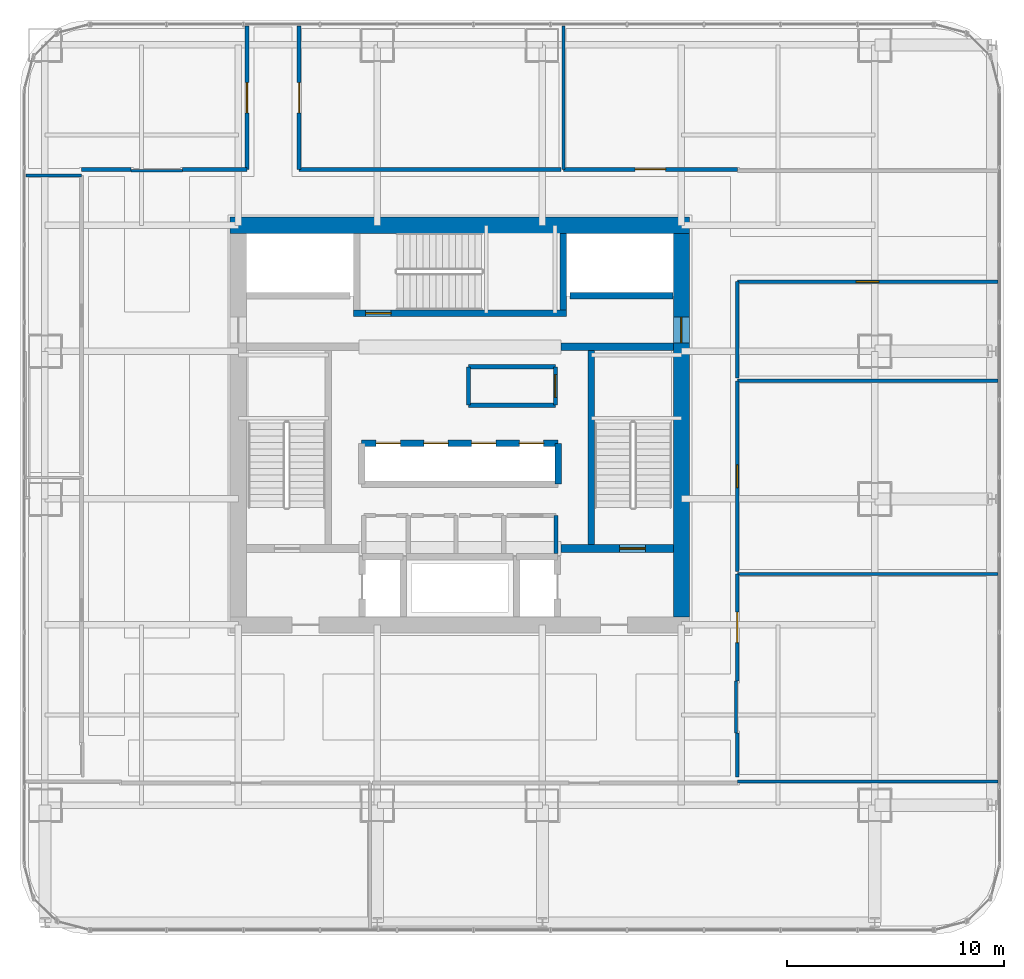
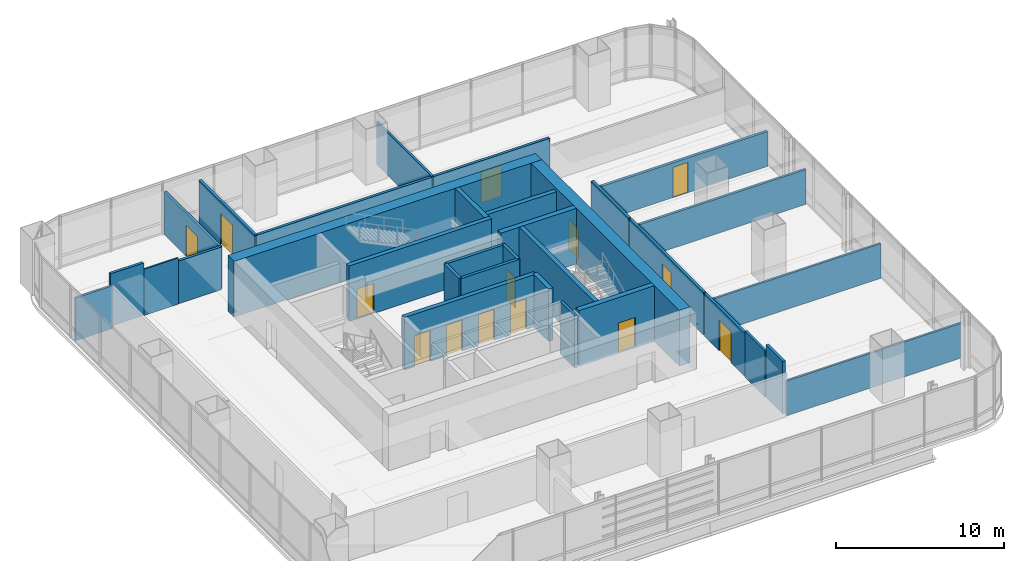
# One storey, part 28 of 35: 33 walls, 14 doors, 14 openings.
"""IFC4 building model written with IfcOpenShell, lengths in metres."""

from ifc_helpers import new_model, si_unit, direction, frame, frame_2d, origin, place, context, subcontext, project, spatial, rectangle, extrude, material, layer, layer_set, type_object, element, fill, save


model = new_model("IFC4")

# Units and contexts
model_context = context("Model", 3, precision=1e-05, world=origin(), true_north=direction((0.0, 1.0)))
body_context = subcontext(model_context, "Body", "Model", "MODEL_VIEW")
ifc_project = project(units=[si_unit("LENGTHUNIT", "METRE"), si_unit("AREAUNIT", "SQUARE_METRE"), si_unit("VOLUMEUNIT", "CUBIC_METRE"), si_unit("PLANEANGLEUNIT", "RADIAN"), si_unit("MASSUNIT", "GRAM", prefix="KILO")], contexts=[model_context])

# Site, building, storey
site_placement = place(None, origin())
site = spatial("IfcSite", under=ifc_project, at=site_placement, CompositionType="ELEMENT")
building_placement = place(site_placement, origin())
building = spatial("IfcBuilding", under=site, at=building_placement, Name="Punatoya Terracotta Tower", CompositionType="ELEMENT")
storey_placement = place(building_placement, frame((0.0, 0.0, 68.699951171875)))
storey = spatial("IfcBuildingStorey", under=building, at=storey_placement, Name="L15", CompositionType="ELEMENT", Elevation=68.699951171875)

# Wall
ifc_material_1 = material(Name="Concrete C60/75", Category="concrete")
ifc_layer_1 = layer(ifc_material_1, 0.75)
ifc_layer_set_1 = layer_set([ifc_layer_1], Name="Concrete C60/75")
wall_type_1 = type_object("IfcWallType", Name="WL-COR-750", PredefinedType="SHEAR", material=ifc_layer_set_1)
wall_1_placement = place(storey_placement, frame((-10.574951171875, 9.199951171875, 0.0), z_axis=(0.0, 0.0, 1.0), x_axis=(1.0, 0.0, 0.0)))
element("IfcWall", 1, at=wall_1_placement, inside=storey, type_object=wall_type_1, Name="L15 Core Shear Wall N", PredefinedType="SHEAR", context=body_context, shape_type="SweptSolid", body=[
    extrude(rectangle(XDim=21.14990234375, YDim=0.75, at=frame_2d((10.574951171875, 0.0))), origin(), (0.0, 0.0, 1.0), 4.050048828125),
])

# Wall, opening, door
wall_2_placement = place(storey_placement, frame((10.199951171875, 8.824951171875, 0.0), z_axis=(0.0, 0.0, 1.0), x_axis=(0.0, -1.0, 0.0)))
wall_2 = element("IfcWall", 2, at=wall_2_placement, inside=storey, type_object=wall_type_1, Name="L15 Core Shear Wall E", PredefinedType="SHEAR", context=body_context, shape_type="SweptSolid", body=[
    extrude(rectangle(XDim=17.64990234375, YDim=0.75, at=frame_2d((8.824951171875, 0.0))), origin(), (0.0, 0.0, 1.0), 4.050048828125),
])
opening_1_placement = place(wall_2_placement, frame((3.85498046875, 0.0, 0.0)))
opening_1 = element("IfcOpeningElement", 3, at=opening_1_placement, cuts=wall_2, Name="Opening SD-01", PredefinedType="OPENING", context=body_context, shape_type="SweptSolid", body=[
    extrude(rectangle(XDim=1.179931640625, YDim=2.199951171875, at=frame_2d((0.58984375, 1.10009765625))), frame((0.0, 0.385009765625, 0.0), z_axis=(0.0, -1.0, 0.0), x_axis=(1.0, 0.0, 0.0)), (0.0, 0.0, 1.0), 0.77001953125),
])
ifc_material_2 = material(Name="Galvanised Steel Pressurized Stair Fire Door", Category="steel")
door_type_1 = type_object("IfcDoorType", Name="DR-STR-1180", OperationType="NOTDEFINED", PredefinedType="DOOR", material=ifc_material_2)
door_1_placement = place(opening_1_placement, origin())
door_1 = element("IfcDoor", 4, at=door_1_placement, inside=storey, type_object=door_type_1, Name="L15 Central Lift Lobby East Fire Door", OperationType="SINGLE_SWING_RIGHT", OverallHeight=2.199951171875, OverallWidth=1.179931640625, PredefinedType="DOOR", context=body_context, shape_type="SweptSolid", body=[
    extrude(rectangle(XDim=1.179931640625, YDim=2.199951171875, at=frame_2d((0.58984375, 1.10009765625))), frame((0.0, 0.02490234375, 0.0), z_axis=(0.0, -1.0, 0.0), x_axis=(1.0, 0.0, 0.0)), (0.0, 0.0, 1.0), 0.050048828125),
])
fill(opening_1, door_1)

# Wall
ifc_material_3 = material(Name="Gypsum Fireboard + Steel Stud", Category="steel")
ifc_layer_2 = layer(ifc_material_3, 0.179931640625)
ifc_layer_set_2 = layer_set([ifc_layer_2], Name="Gypsum Fireboard + Steel Stud")
wall_type_2 = type_object("IfcWallType", Name="WL-CORR-180", PredefinedType="PARTITIONING", material=ifc_layer_set_2)
wall_3_placement = place(storey_placement, frame((4.419921875, -5.89990234375, 0.0), z_axis=(0.0, 0.0, 1.0), x_axis=(0.0, 1.0, 0.0)))
element("IfcWall", 5, at=wall_3_placement, inside=storey, type_object=wall_type_2, Name="L15 Core Reprographics Studio Partition 08", PredefinedType="PARTITIONING", context=body_context, shape_type="SweptSolid", body=[
    extrude(rectangle(XDim=1.739990234375, YDim=0.179931640625, at=frame_2d((0.8701171875, 0.0))), origin(), (0.0, 0.0, 1.0), 3.81005859375),
])

# Wall, opening, door
wall_4_placement = place(storey_placement, frame((12.77001953125, -11.77001953125, 0.0), z_axis=(0.0, 0.0, 1.0), x_axis=(0.0, 1.0, 0.0)))
wall_4 = element("IfcWall", 6, at=wall_4_placement, inside=storey, type_object=wall_type_2, Name="L15 Collaborative Workshop Room Partition 20", PredefinedType="PARTITIONING", context=body_context, shape_type="SweptSolid", body=[
    extrude(rectangle(XDim=4.912109375, YDim=0.179931640625, at=frame_2d((2.4560546875, 0.0))), origin(), (0.0, 0.0, 1.0), 3.10400390625),
])
opening_2_placement = place(wall_4_placement, frame((1.756103515625, 0.0, 0.0)))
opening_2 = element("IfcOpeningElement", 7, at=opening_2_placement, cuts=wall_4, Name="Opening BD-01", PredefinedType="OPENING", context=body_context, shape_type="SweptSolid", body=[
    extrude(rectangle(XDim=1.39990234375, YDim=2.25, at=frame_2d((0.699951171875, 1.125))), frame((0.0, 0.099853515625, 0.0), z_axis=(0.0, -1.0, 0.0), x_axis=(1.0, 0.0, 0.0)), (0.0, 0.0, 1.0), 0.199951171875),
])
ifc_material_4 = material(Name="Bengal Teak Acoustic Leaf")
door_type_2 = type_object("IfcDoorType", Name="DR-BRD-1400", OperationType="NOTDEFINED", PredefinedType="DOOR", material=ifc_material_4)
door_2_placement = place(opening_2_placement, origin())
door_2 = element("IfcDoor", 8, at=door_2_placement, inside=storey, type_object=door_type_2, Name="L15 Collaborative Workshop Room Door", OperationType="SINGLE_SWING_RIGHT", OverallHeight=2.25, OverallWidth=1.39990234375, PredefinedType="DOOR", context=body_context, shape_type="SweptSolid", body=[
    extrude(rectangle(XDim=1.39990234375, YDim=2.25, at=frame_2d((0.699951171875, 1.125))), frame((0.0, 0.02490234375, 0.0), z_axis=(0.0, -1.0, 0.0), x_axis=(1.0, 0.0, 0.0)), (0.0, 0.0, 1.0), 0.050048828125),
])
fill(opening_2, door_2)

# Wall
wall_5_placement = place(storey_placement, frame((12.77001953125, -16.18994140625, 0.0), z_axis=(0.0, 0.0, 1.0), x_axis=(0.0, 1.0, 0.0)))
element("IfcWall", 9, at=wall_5_placement, inside=storey, type_object=wall_type_2, Name="L15 Collaborative Workshop Room Partition 22", PredefinedType="PARTITIONING", context=body_context, shape_type="SweptSolid", body=[
    extrude(rectangle(XDim=2.010009765625, YDim=0.179931640625, at=frame_2d((1.0048828125, 0.0))), origin(), (0.0, 0.0, 1.0), 3.81005859375),
])

# Wall, opening, door
wall_6_placement = place(storey_placement, frame((12.77001953125, -6.738037109375, 0.0), z_axis=(0.0, 0.0, 1.0), x_axis=(0.0, 1.0, 0.0)))
wall_6 = element("IfcWall", 10, at=wall_6_placement, inside=storey, type_object=wall_type_2, Name="L15 Open-Plan Breakout Tea Pantry Partition 27", PredefinedType="PARTITIONING", context=body_context, shape_type="SweptSolid", body=[
    extrude(rectangle(XDim=8.776123046875, YDim=0.179931640625, at=frame_2d((4.38818359375, 0.0))), origin(), (0.0, 0.0, 1.0), 3.10400390625),
])
opening_3_placement = place(wall_6_placement, frame((3.863037109375, 0.0, 0.0)))
opening_3 = element("IfcOpeningElement", 11, at=opening_3_placement, cuts=wall_6, Name="Opening OD-01", PredefinedType="OPENING", context=body_context, shape_type="SweptSolid", body=[
    extrude(rectangle(XDim=1.050048828125, YDim=2.199951171875, at=frame_2d((0.52490234375, 1.10009765625))), frame((0.0, 0.099853515625, 0.0), z_axis=(0.0, -1.0, 0.0), x_axis=(1.0, 0.0, 0.0)), (0.0, 0.0, 1.0), 0.199951171875),
])
ifc_material_5 = material(Name="Bengal Teak Solid-Core Leaf")
door_type_3 = type_object("IfcDoorType", Name="DR-OFF-1050", OperationType="NOTDEFINED", PredefinedType="DOOR", material=ifc_material_5)
door_3_placement = place(opening_3_placement, origin())
door_3 = element("IfcDoor", 12, at=door_3_placement, inside=storey, type_object=door_type_3, Name="L15 Open-Plan Breakout Tea Pantry Door", OperationType="SINGLE_SWING_RIGHT", OverallHeight=2.199951171875, OverallWidth=1.050048828125, PredefinedType="DOOR", context=body_context, shape_type="SweptSolid", body=[
    extrude(rectangle(XDim=1.050048828125, YDim=2.199951171875, at=frame_2d((0.52490234375, 1.10009765625))), frame((0.0, 0.02490234375, 0.0), z_axis=(0.0, -1.0, 0.0), x_axis=(1.0, 0.0, 0.0)), (0.0, 0.0, 1.0), 0.050048828125),
])
fill(opening_3, door_3)

wall_7_placement = place(storey_placement, frame((12.77001953125, 6.60009765625, 0.0), z_axis=(0.0, 0.0, 1.0), x_axis=(1.0, 0.0, 0.0)))
wall_7 = element("IfcWall", 13, at=wall_7_placement, inside=storey, type_object=wall_type_2, Name="L15 Open-Plan Delegate Reception Lounge Partition 28", PredefinedType="PARTITIONING", context=body_context, shape_type="SweptSolid", body=[
    extrude(rectangle(XDim=12.0, YDim=0.179931640625, at=frame_2d((6.0, 0.0))), origin(), (0.0, 0.0, 1.0), 2.524169921875),
])
opening_4_placement = place(wall_7_placement, frame((5.47509765625, 0.0, 0.0)))
opening_4 = element("IfcOpeningElement", 14, at=opening_4_placement, cuts=wall_7, Name="Opening OD-01", PredefinedType="OPENING", context=body_context, shape_type="SweptSolid", body=[
    extrude(rectangle(XDim=1.050048828125, YDim=2.199951171875, at=frame_2d((0.52490234375, 1.10009765625))), frame((0.0, 0.099853515625, 0.0), z_axis=(0.0, -1.0, 0.0), x_axis=(1.0, 0.0, 0.0)), (0.0, 0.0, 1.0), 0.199951171875),
])
door_4_placement = place(opening_4_placement, origin())
door_4 = element("IfcDoor", 15, at=door_4_placement, inside=storey, type_object=door_type_3, Name="L15 Open-Plan Delegate Reception Lounge Door", OperationType="SINGLE_SWING_LEFT", OverallHeight=2.199951171875, OverallWidth=1.050048828125, PredefinedType="DOOR", context=body_context, shape_type="SweptSolid", body=[
    extrude(rectangle(XDim=1.050048828125, YDim=2.199951171875, at=frame_2d((0.52490234375, 1.10009765625))), frame((0.0, 0.02490234375, 0.0), z_axis=(0.0, -1.0, 0.0), x_axis=(1.0, 0.0, 0.0)), (0.0, 0.0, 1.0), 0.050048828125),
])
fill(opening_4, door_4)

# Wall
wall_8_placement = place(storey_placement, frame((12.77001953125, 2.157958984375, 0.0), z_axis=(0.0, 0.0, 1.0), x_axis=(0.0, 1.0, 0.0)))
element("IfcWall", 16, at=wall_8_placement, inside=storey, type_object=wall_type_2, Name="L15 Open-Plan Delegate Reception Lounge Partition 29", PredefinedType="PARTITIONING", context=body_context, shape_type="SweptSolid", body=[
    extrude(rectangle(XDim=4.442138671875, YDim=0.179931640625, at=frame_2d((2.22119140625, 0.0))), origin(), (0.0, 0.0, 1.0), 3.10400390625),
])

# Wall, opening, door
wall_9_placement = place(storey_placement, frame((-9.800048828125, 18.3701171875, 0.0), z_axis=(0.0, 0.0, 1.0), x_axis=(0.0, -1.0, 0.0)))
wall_9 = element("IfcWall", 17, at=wall_9_placement, inside=storey, type_object=wall_type_2, Name="L15 Open-Plan Case-Study Classroom Partition 32", PredefinedType="PARTITIONING", context=body_context, shape_type="SweptSolid", body=[
    extrude(rectangle(XDim=6.60009765625, YDim=0.179931640625, at=frame_2d((3.300048828125, 0.0))), origin(), (0.0, 0.0, 1.0), 3.10400390625),
])
opening_5_placement = place(wall_9_placement, frame((2.60009765625, 0.0, 0.0)))
opening_5 = element("IfcOpeningElement", 18, at=opening_5_placement, cuts=wall_9, Name="Opening BD-01", PredefinedType="OPENING", context=body_context, shape_type="SweptSolid", body=[
    extrude(rectangle(XDim=1.39990234375, YDim=2.25, at=frame_2d((0.699951171875, 1.125))), frame((0.0, 0.099853515625, 0.0), z_axis=(0.0, -1.0, 0.0), x_axis=(1.0, 0.0, 0.0)), (0.0, 0.0, 1.0), 0.199951171875),
])
door_5_placement = place(opening_5_placement, origin())
door_5 = element("IfcDoor", 19, at=door_5_placement, inside=storey, type_object=door_type_2, Name="L15 Open-Plan Case-Study Classroom Door", OperationType="SINGLE_SWING_LEFT", OverallHeight=2.25, OverallWidth=1.39990234375, PredefinedType="DOOR", context=body_context, shape_type="SweptSolid", body=[
    extrude(rectangle(XDim=1.39990234375, YDim=2.25, at=frame_2d((0.699951171875, 1.125))), frame((0.0, 0.02490234375, 0.0), z_axis=(0.0, -1.0, 0.0), x_axis=(1.0, 0.0, 0.0)), (0.0, 0.0, 1.0), 0.050048828125),
])
fill(opening_5, door_5)

# Walls
wall_10_placement = place(storey_placement, frame((-9.800048828125, 11.77001953125, 0.0), z_axis=(0.0, 0.0, 1.0), x_axis=(-1.0, 0.0, 0.0)))
element("IfcWall", 20, at=wall_10_placement, inside=storey, type_object=wall_type_2, Name="L15 Open-Plan Case-Study Classroom Partition 33", PredefinedType="PARTITIONING", context=body_context, shape_type="SweptSolid", body=[
    extrude(rectangle(XDim=2.969970703125, YDim=0.179931640625, at=frame_2d((1.48486328125, 0.0))), origin(), (0.0, 0.0, 1.0), 3.10400390625),
])
wall_11_placement = place(storey_placement, frame((-15.1298828125, 11.77001953125, 0.0), z_axis=(0.0, 0.0, 1.0), x_axis=(-1.0, 0.0, 0.0)))
element("IfcWall", 21, at=wall_11_placement, inside=storey, type_object=wall_type_2, Name="L15 Open-Plan Case-Study Classroom Partition 35", PredefinedType="PARTITIONING", context=body_context, shape_type="SweptSolid", body=[
    extrude(rectangle(XDim=2.2900390625, YDim=0.179931640625, at=frame_2d((1.14501953125, 0.0))), origin(), (0.0, 0.0, 1.0), 3.81005859375),
])

# Wall, opening, door
wall_12_placement = place(storey_placement, frame((12.77001953125, 11.77001953125, 0.0), z_axis=(0.0, 0.0, 1.0), x_axis=(-1.0, 0.0, 0.0)))
wall_12 = element("IfcWall", 22, at=wall_12_placement, inside=storey, type_object=wall_type_2, Name="L15 Open-Plan Symposium Colloquium Room Partition 38", PredefinedType="PARTITIONING", context=body_context, shape_type="SweptSolid", body=[
    extrude(rectangle(XDim=7.9951171875, YDim=0.179931640625, at=frame_2d((3.99755859375, 0.0))), origin(), (0.0, 0.0, 1.0), 3.10400390625),
])
opening_6_placement = place(wall_12_placement, frame((3.297607421875, 0.0, 0.0)))
opening_6 = element("IfcOpeningElement", 23, at=opening_6_placement, cuts=wall_12, Name="Opening BD-01", PredefinedType="OPENING", context=body_context, shape_type="SweptSolid", body=[
    extrude(rectangle(XDim=1.39990234375, YDim=2.25, at=frame_2d((0.699951171875, 1.125))), frame((0.0, 0.099853515625, 0.0), z_axis=(0.0, -1.0, 0.0), x_axis=(1.0, 0.0, 0.0)), (0.0, 0.0, 1.0), 0.199951171875),
])
door_6_placement = place(opening_6_placement, origin())
door_6 = element("IfcDoor", 24, at=door_6_placement, inside=storey, type_object=door_type_2, Name="L15 Open-Plan Symposium Colloquium Room Door", OperationType="SINGLE_SWING_RIGHT", OverallHeight=2.25, OverallWidth=1.39990234375, PredefinedType="DOOR", context=body_context, shape_type="SweptSolid", body=[
    extrude(rectangle(XDim=1.39990234375, YDim=2.25, at=frame_2d((0.699951171875, 1.125))), frame((0.0, 0.02490234375, 0.0), z_axis=(0.0, -1.0, 0.0), x_axis=(1.0, 0.0, 0.0)), (0.0, 0.0, 1.0), 0.050048828125),
])
fill(opening_6, door_6)

wall_13_placement = place(storey_placement, frame((-7.39990234375, 11.77001953125, 0.0), z_axis=(0.0, 0.0, 1.0), x_axis=(0.0, 1.0, 0.0)))
wall_13 = element("IfcWall", 25, at=wall_13_placement, inside=storey, type_object=wall_type_2, Name="L15 Open-Plan Roundtable Conference Room Partition 39", PredefinedType="PARTITIONING", context=body_context, shape_type="SweptSolid", body=[
    extrude(rectangle(XDim=6.60009765625, YDim=0.179931640625, at=frame_2d((3.300048828125, 0.0))), origin(), (0.0, 0.0, 1.0), 3.10400390625),
])
opening_7_placement = place(wall_13_placement, frame((2.60009765625, 0.0, 0.0)))
opening_7 = element("IfcOpeningElement", 26, at=opening_7_placement, cuts=wall_13, Name="Opening BD-01", PredefinedType="OPENING", context=body_context, shape_type="SweptSolid", body=[
    extrude(rectangle(XDim=1.39990234375, YDim=2.25, at=frame_2d((0.699951171875, 1.125))), frame((0.0, 0.099853515625, 0.0), z_axis=(0.0, -1.0, 0.0), x_axis=(1.0, 0.0, 0.0)), (0.0, 0.0, 1.0), 0.199951171875),
])
door_7_placement = place(opening_7_placement, origin())
door_7 = element("IfcDoor", 27, at=door_7_placement, inside=storey, type_object=door_type_2, Name="L15 Open-Plan Roundtable Conference Room Door", OperationType="SINGLE_SWING_LEFT", OverallHeight=2.25, OverallWidth=1.39990234375, PredefinedType="DOOR", context=body_context, shape_type="SweptSolid", body=[
    extrude(rectangle(XDim=1.39990234375, YDim=2.25, at=frame_2d((0.699951171875, 1.125))), frame((0.0, 0.02490234375, 0.0), z_axis=(0.0, -1.0, 0.0), x_axis=(1.0, 0.0, 0.0)), (0.0, 0.0, 1.0), 0.050048828125),
])
fill(opening_7, door_7)

# Walls
wall_14_placement = place(storey_placement, frame((4.655029296875, 11.77001953125, 0.0), z_axis=(0.0, 0.0, 1.0), x_axis=(-1.0, 0.0, 0.0)))
element("IfcWall", 28, at=wall_14_placement, inside=storey, type_object=wall_type_2, Name="L15 Open-Plan Roundtable Conference Room Partition 40", PredefinedType="PARTITIONING", context=body_context, shape_type="SweptSolid", body=[
    extrude(rectangle(XDim=12.054931640625, YDim=0.179931640625, at=frame_2d((6.02734375, 0.0))), origin(), (0.0, 0.0, 1.0), 3.10400390625),
])
ifc_material_6 = material(Name="Aluminium Framed Acoustic Glass Partition", Category="aluminium")
ifc_layer_3 = layer(ifc_material_6, 0.10009765625)
ifc_layer_set_3 = layer_set([ifc_layer_3], Name="Aluminium Framed Acoustic Glass Partition")
wall_type_3 = type_object("IfcWallType", Name="WL-GLZ-100", PredefinedType="PARTITIONING", material=ifc_layer_set_3)
wall_15_placement = place(storey_placement, frame((-12.77001953125, 11.7099609375, 0.0), z_axis=(0.0, 0.0, 1.0), x_axis=(-1.0, 0.0, 0.0)))
element("IfcWall", 29, at=wall_15_placement, inside=storey, type_object=wall_type_3, Name="L15 Open-Plan Case-Study Classroom Partition 34", PredefinedType="PARTITIONING", context=body_context, shape_type="SweptSolid", body=[
    extrude(rectangle(XDim=2.35986328125, YDim=0.10009765625, at=frame_2d((1.179931640625, 0.0))), origin(), (0.0, 0.0, 1.0), 3.35400390625),
])

# Wall, opening, door
ifc_material_7 = material(Name="Concrete C40/50", Category="concrete")
ifc_layer_4 = layer(ifc_material_7, 0.199951171875)
ifc_layer_set_4 = layer_set([ifc_layer_4], Name="Concrete C40/50")
wall_type_4 = type_object("IfcWallType", Name="WL-INT-200", PredefinedType="SOLIDWALL", material=ifc_layer_set_4)
wall_16_placement = place(storey_placement, frame((4.39990234375, 0.919921875, 0.0), z_axis=(0.0, 0.0, 1.0), x_axis=(0.0, 1.0, 0.0)))
wall_16 = element("IfcWall", 30, at=wall_16_placement, inside=storey, type_object=wall_type_4, Name="L15 East Core Tea Pantry Partition 10", PredefinedType="SOLIDWALL", context=body_context, shape_type="SweptSolid", body=[
    extrude(rectangle(XDim=1.760009765625, YDim=0.199951171875, at=frame_2d((0.8798828125, 0.0))), origin(), (0.0, 0.0, 1.0), 3.81005859375),
])
opening_8_placement = place(wall_16_placement, frame((0.35498046875, 0.0, 0.0)))
opening_8 = element("IfcOpeningElement", 31, at=opening_8_placement, cuts=wall_16, Name="Opening OD-01", PredefinedType="OPENING", context=body_context, shape_type="SweptSolid", body=[
    extrude(rectangle(XDim=1.050048828125, YDim=2.199951171875, at=frame_2d((0.52490234375, 1.10009765625))), frame((0.0, 0.10986328125, 0.0), z_axis=(0.0, -1.0, 0.0), x_axis=(1.0, 0.0, 0.0)), (0.0, 0.0, 1.0), 0.219970703125),
])
door_8_placement = place(opening_8_placement, origin())
door_8 = element("IfcDoor", 32, at=door_8_placement, inside=storey, type_object=door_type_3, Name="L15 East Tea Pantry Door", OperationType="SINGLE_SWING_LEFT", OverallHeight=2.199951171875, OverallWidth=1.050048828125, PredefinedType="DOOR", context=body_context, shape_type="SweptSolid", body=[
    extrude(rectangle(XDim=1.050048828125, YDim=2.199951171875, at=frame_2d((0.52490234375, 1.10009765625))), frame((0.0, 0.02490234375, 0.0), z_axis=(0.0, -1.0, 0.0), x_axis=(1.0, 0.0, 0.0)), (0.0, 0.0, 1.0), 0.050048828125),
])
fill(opening_8, door_8)

# Walls
wall_17_placement = place(storey_placement, frame((4.39990234375, 2.679931640625, 0.0), z_axis=(0.0, 0.0, 1.0), x_axis=(-1.0, 0.0, 0.0)))
element("IfcWall", 33, at=wall_17_placement, inside=storey, type_object=wall_type_4, Name="L15 East Core Tea Pantry Partition 11", PredefinedType="SOLIDWALL", context=body_context, shape_type="SweptSolid", body=[
    extrude(rectangle(XDim=4.0, YDim=0.199951171875, at=frame_2d((2.0, 0.0))), origin(), (0.0, 0.0, 1.0), 3.81005859375),
])
wall_18_placement = place(storey_placement, frame((0.39990234375, 2.679931640625, 0.0), z_axis=(0.0, 0.0, 1.0), x_axis=(0.0, -1.0, 0.0)))
element("IfcWall", 34, at=wall_18_placement, inside=storey, type_object=wall_type_4, Name="L15 East Core Tea Pantry Partition 12", PredefinedType="SOLIDWALL", context=body_context, shape_type="SweptSolid", body=[
    extrude(rectangle(XDim=1.760009765625, YDim=0.199951171875, at=frame_2d((0.8798828125, 0.0))), origin(), (0.0, 0.0, 1.0), 3.81005859375),
])
wall_19_placement = place(storey_placement, frame((0.39990234375, 0.919921875, 0.0), z_axis=(0.0, 0.0, 1.0), x_axis=(1.0, 0.0, 0.0)))
element("IfcWall", 35, at=wall_19_placement, inside=storey, type_object=wall_type_4, Name="L15 East Core Tea Pantry Partition 13", PredefinedType="SOLIDWALL", context=body_context, shape_type="SweptSolid", body=[
    extrude(rectangle(XDim=4.0, YDim=0.199951171875, at=frame_2d((2.0, 0.0))), origin(), (0.0, 0.0, 1.0), 3.81005859375),
])
ifc_material_8 = material(Name="Acoustic Gypsum + Steel Stud", Category="steel")
ifc_layer_5 = layer(ifc_material_8, 0.139892578125)
ifc_layer_set_5 = layer_set([ifc_layer_5], Name="Acoustic Gypsum + Steel Stud")
wall_type_5 = type_object("IfcWallType", Name="WL-OFF-140", PredefinedType="PARTITIONING", material=ifc_layer_set_5)
wall_20_placement = place(storey_placement, frame((12.77001953125, -16.409912109375, 0.0), z_axis=(0.0, 0.0, 1.0), x_axis=(1.0, 0.0, 0.0)))
element("IfcWall", 36, at=wall_20_placement, inside=storey, type_object=wall_type_5, Name="L15 Client Strategy Boardroom Partition 18", PredefinedType="PARTITIONING", context=body_context, shape_type="SweptSolid", body=[
    extrude(rectangle(XDim=12.0, YDim=0.139892578125, at=frame_2d((6.0, 0.0))), origin(), (0.0, 0.0, 1.0), 2.524169921875),
])
wall_21_placement = place(storey_placement, frame((12.7099609375, -14.179931640625, 0.0), z_axis=(0.0, 0.0, 1.0), x_axis=(0.0, 1.0, 0.0)))
element("IfcWall", 37, at=wall_21_placement, inside=storey, type_object=wall_type_5, Name="L15 Collaborative Workshop Room Partition 19", PredefinedType="PARTITIONING", context=body_context, shape_type="SweptSolid", body=[
    extrude(rectangle(XDim=2.409912109375, YDim=0.139892578125, at=frame_2d((1.205078125, 0.0))), origin(), (0.0, 0.0, 1.0), 3.35400390625),
])
wall_22_placement = place(storey_placement, frame((12.77001953125, -6.85791015625, 0.0), z_axis=(0.0, 0.0, 1.0), x_axis=(1.0, 0.0, 0.0)))
element("IfcWall", 38, at=wall_22_placement, inside=storey, type_object=wall_type_5, Name="L15 Collaborative Workshop Room Partition 21", PredefinedType="PARTITIONING", context=body_context, shape_type="SweptSolid", body=[
    extrude(rectangle(XDim=12.0, YDim=0.139892578125, at=frame_2d((6.0, 0.0))), origin(), (0.0, 0.0, 1.0), 2.524169921875),
])
wall_23_placement = place(storey_placement, frame((-19.969970703125, 11.489990234375, 0.0), z_axis=(0.0, 0.0, 1.0), x_axis=(1.0, 0.0, 0.0)))
element("IfcWall", 39, at=wall_23_placement, inside=storey, type_object=wall_type_5, Name="L15 Open-Plan Wellness Focus Room Partition 30", PredefinedType="PARTITIONING", context=body_context, shape_type="SweptSolid", body=[
    extrude(rectangle(XDim=2.550048828125, YDim=0.139892578125, at=frame_2d((1.27490234375, 0.0))), origin(), (0.0, 0.0, 1.0), 3.10400390625),
])
wall_24_placement = place(storey_placement, frame((4.77490234375, 11.77001953125, 0.0), z_axis=(0.0, 0.0, 1.0), x_axis=(0.0, 1.0, 0.0)))
element("IfcWall", 40, at=wall_24_placement, inside=storey, type_object=wall_type_5, Name="L15 Open-Plan Symposium Colloquium Room Partition 36", PredefinedType="PARTITIONING", context=body_context, shape_type="SweptSolid", body=[
    extrude(rectangle(XDim=6.60009765625, YDim=0.139892578125, at=frame_2d((3.300048828125, 0.0))), origin(), (0.0, 0.0, 1.0), 3.10400390625),
])
ifc_layer_6 = layer(ifc_material_7, 0.300048828125)
ifc_layer_set_6 = layer_set([ifc_layer_6], Name="Concrete C40/50")
wall_type_6 = type_object("IfcWallType", Name="WL-SHF-300", PredefinedType="SOLIDWALL", material=ifc_layer_set_6)
wall_25_placement = place(storey_placement, frame((6.050048828125, 3.449951171875, 0.0), z_axis=(0.0, 0.0, 1.0), x_axis=(0.0, -1.0, 0.0)))
element("IfcWall", 41, at=wall_25_placement, inside=storey, type_object=wall_type_6, Name="L15 Structural Stair Shaft Wall SW-ST2-W", PredefinedType="SOLIDWALL", context=body_context, shape_type="SweptSolid", body=[
    extrude(rectangle(XDim=8.949951171875, YDim=0.300048828125, at=frame_2d((4.47509765625, 0.0))), origin(), (0.0, 0.0, 1.0), 4.050048828125),
])
wall_26_placement = place(storey_placement, frame((4.75, 8.824951171875, 0.0), z_axis=(0.0, 0.0, 1.0), x_axis=(0.0, -1.0, 0.0)))
element("IfcWall", 42, at=wall_26_placement, inside=storey, type_object=wall_type_6, Name="L15 Structural Stair Shaft Wall SW-ST3-E", PredefinedType="SOLIDWALL", context=body_context, shape_type="SweptSolid", body=[
    extrude(rectangle(XDim=3.52490234375, YDim=0.300048828125, at=frame_2d((1.762451171875, 0.0))), origin(), (0.0, 0.0, 1.0), 4.050048828125),
])

# Wall, opening, door
wall_27_placement = place(storey_placement, frame((-4.89990234375, 5.14990234375, 0.0), z_axis=(0.0, 0.0, 1.0), x_axis=(1.0, 0.0, 0.0)))
wall_27 = element("IfcWall", 43, at=wall_27_placement, inside=storey, type_object=wall_type_6, Name="L15 Structural Stair Shaft Wall SW-ST3-S", PredefinedType="SOLIDWALL", context=body_context, shape_type="SweptSolid", body=[
    extrude(rectangle(XDim=9.7998046875, YDim=0.300048828125, at=frame_2d((4.89990234375, 0.0))), origin(), (0.0, 0.0, 1.0), 4.050048828125),
])
opening_9_placement = place(wall_27_placement, frame((0.56005859375, 0.0, 0.0)))
opening_9 = element("IfcOpeningElement", 44, at=opening_9_placement, cuts=wall_27, Name="Opening SD-01", PredefinedType="OPENING", context=body_context, shape_type="SweptSolid", body=[
    extrude(rectangle(XDim=1.179931640625, YDim=2.199951171875, at=frame_2d((0.58984375, 1.10009765625))), frame((0.0, 0.159912109375, 0.0), z_axis=(0.0, -1.0, 0.0), x_axis=(1.0, 0.0, 0.0)), (0.0, 0.0, 1.0), 0.320068359375),
])
door_9_placement = place(opening_9_placement, origin())
door_9 = element("IfcDoor", 45, at=door_9_placement, inside=storey, type_object=door_type_1, Name="L15 Stair ST-3 Core Lobby Fire Door", OperationType="SINGLE_SWING_LEFT", OverallHeight=2.199951171875, OverallWidth=1.179931640625, PredefinedType="DOOR", context=body_context, shape_type="SweptSolid", body=[
    extrude(rectangle(XDim=1.179931640625, YDim=2.199951171875, at=frame_2d((0.58984375, 1.10009765625))), frame((0.0, 0.02490234375, 0.0), z_axis=(0.0, -1.0, 0.0), x_axis=(1.0, 0.0, 0.0)), (0.0, 0.0, 1.0), 0.050048828125),
])
fill(opening_9, door_9)

# Wall, openings, doors
wall_28_placement = place(storey_placement, frame((-4.52001953125, -0.840087890625, 0.0), z_axis=(0.0, 0.0, 1.0), x_axis=(1.0, 0.0, 0.0)))
wall_28 = element("IfcWall", 46, at=wall_28_placement, inside=storey, type_object=wall_type_6, Name="L15 South Lift Bank Front Shaft Wall", PredefinedType="SOLIDWALL", context=body_context, shape_type="SweptSolid", body=[
    extrude(rectangle(XDim=9.0400390625, YDim=0.300048828125, at=frame_2d((4.52001953125, 0.0))), origin(), (0.0, 0.0, 1.0), 3.81005859375),
])
opening_10_placement = place(wall_28_placement, frame((0.659912109375, 0.0, 0.0)))
opening_10 = element("IfcOpeningElement", 47, at=opening_10_placement, cuts=wall_28, Name="Opening LD-02", PredefinedType="OPENING", context=body_context, shape_type="SweptSolid", body=[
    extrude(rectangle(XDim=1.1201171875, YDim=2.25, at=frame_2d((0.56005859375, 1.125))), frame((0.0, 0.159912109375, 0.0), z_axis=(0.0, -1.0, 0.0), x_axis=(1.0, 0.0, 0.0)), (0.0, 0.0, 1.0), 0.320068359375),
])
opening_11_placement = place(wall_28_placement, frame((2.860107421875, 0.0, 0.0)))
opening_11 = element("IfcOpeningElement", 48, at=opening_11_placement, cuts=wall_28, Name="Opening LD-02", PredefinedType="OPENING", context=body_context, shape_type="SweptSolid", body=[
    extrude(rectangle(XDim=1.1201171875, YDim=2.25, at=frame_2d((0.56005859375, 1.125))), frame((0.0, 0.159912109375, 0.0), z_axis=(0.0, -1.0, 0.0), x_axis=(1.0, 0.0, 0.0)), (0.0, 0.0, 1.0), 0.320068359375),
])
opening_12_placement = place(wall_28_placement, frame((5.06005859375, 0.0, 0.0)))
opening_12 = element("IfcOpeningElement", 49, at=opening_12_placement, cuts=wall_28, Name="Opening LD-02", PredefinedType="OPENING", context=body_context, shape_type="SweptSolid", body=[
    extrude(rectangle(XDim=1.1201171875, YDim=2.25, at=frame_2d((0.56005859375, 1.125))), frame((0.0, 0.159912109375, 0.0), z_axis=(0.0, -1.0, 0.0), x_axis=(1.0, 0.0, 0.0)), (0.0, 0.0, 1.0), 0.320068359375),
])
opening_13_placement = place(wall_28_placement, frame((7.260009765625, 0.0, 0.0)))
opening_13 = element("IfcOpeningElement", 50, at=opening_13_placement, cuts=wall_28, Name="Opening LD-02", PredefinedType="OPENING", context=body_context, shape_type="SweptSolid", body=[
    extrude(rectangle(XDim=1.1201171875, YDim=2.25, at=frame_2d((0.56005859375, 1.125))), frame((0.0, 0.159912109375, 0.0), z_axis=(0.0, -1.0, 0.0), x_axis=(1.0, 0.0, 0.0)), (0.0, 0.0, 1.0), 0.320068359375),
])
ifc_material_9 = material(Name="Stainless Steel Lift Landing Door", Category="steel")
door_type_4 = type_object("IfcDoorType", Name="DR-LND-1120", OperationType="NOTDEFINED", PredefinedType="DOOR", material=ifc_material_9)
door_10_placement = place(opening_10_placement, origin())
door_10 = element("IfcDoor", 51, at=door_10_placement, inside=storey, type_object=door_type_4, Name="L15 Lift PL-L1 Sliding Landing Door", OperationType="DOUBLE_DOOR_SLIDING", OverallHeight=2.25, OverallWidth=1.1201171875, PredefinedType="DOOR", context=body_context, shape_type="SweptSolid", body=[
    extrude(rectangle(XDim=1.1201171875, YDim=2.25, at=frame_2d((0.56005859375, 1.125))), frame((0.0, 0.02490234375, 0.0), z_axis=(0.0, -1.0, 0.0), x_axis=(1.0, 0.0, 0.0)), (0.0, 0.0, 1.0), 0.050048828125),
])
fill(opening_10, door_10)
door_11_placement = place(opening_11_placement, origin())
door_11 = element("IfcDoor", 52, at=door_11_placement, inside=storey, type_object=door_type_4, Name="L15 Lift PL-L2 Sliding Landing Door", OperationType="DOUBLE_DOOR_SLIDING", OverallHeight=2.25, OverallWidth=1.1201171875, PredefinedType="DOOR", context=body_context, shape_type="SweptSolid", body=[
    extrude(rectangle(XDim=1.1201171875, YDim=2.25, at=frame_2d((0.56005859375, 1.125))), frame((0.0, 0.02490234375, 0.0), z_axis=(0.0, -1.0, 0.0), x_axis=(1.0, 0.0, 0.0)), (0.0, 0.0, 1.0), 0.050048828125),
])
fill(opening_11, door_11)
door_12_placement = place(opening_12_placement, origin())
door_12 = element("IfcDoor", 53, at=door_12_placement, inside=storey, type_object=door_type_4, Name="L15 Lift PL-L3 Sliding Landing Door", OperationType="DOUBLE_DOOR_SLIDING", OverallHeight=2.25, OverallWidth=1.1201171875, PredefinedType="DOOR", context=body_context, shape_type="SweptSolid", body=[
    extrude(rectangle(XDim=1.1201171875, YDim=2.25, at=frame_2d((0.56005859375, 1.125))), frame((0.0, 0.02490234375, 0.0), z_axis=(0.0, -1.0, 0.0), x_axis=(1.0, 0.0, 0.0)), (0.0, 0.0, 1.0), 0.050048828125),
])
fill(opening_12, door_12)
door_13_placement = place(opening_13_placement, origin())
door_13 = element("IfcDoor", 54, at=door_13_placement, inside=storey, type_object=door_type_4, Name="L15 Lift PL-L4 Sliding Landing Door", OperationType="DOUBLE_DOOR_SLIDING", OverallHeight=2.25, OverallWidth=1.1201171875, PredefinedType="DOOR", context=body_context, shape_type="SweptSolid", body=[
    extrude(rectangle(XDim=1.1201171875, YDim=2.25, at=frame_2d((0.56005859375, 1.125))), frame((0.0, 0.02490234375, 0.0), z_axis=(0.0, -1.0, 0.0), x_axis=(1.0, 0.0, 0.0)), (0.0, 0.0, 1.0), 0.050048828125),
])
fill(opening_13, door_13)

# Walls
wall_29_placement = place(storey_placement, frame((4.52001953125, -2.719970703125, 0.0), z_axis=(0.0, 0.0, 1.0), x_axis=(0.0, 1.0, 0.0)))
element("IfcWall", 55, at=wall_29_placement, inside=storey, type_object=wall_type_6, Name="L15 South Lift Bank East End Wall", PredefinedType="SOLIDWALL", context=body_context, shape_type="SweptSolid", body=[
    extrude(rectangle(XDim=1.8798828125, YDim=0.300048828125, at=frame_2d((0.93994140625, 0.0))), origin(), (0.0, 0.0, 1.0), 3.81005859375),
])
wall_30_placement = place(storey_placement, frame((5.06005859375, 5.949951171875, 0.0), z_axis=(0.0, 0.0, 1.0), x_axis=(1.0, 0.0, 0.0)))
element("IfcWall", 56, at=wall_30_placement, inside=storey, type_object=wall_type_6, Name="L15 Shuttle SL-2 South Hoistway Wall", PredefinedType="SOLIDWALL", context=body_context, shape_type="SweptSolid", body=[
    extrude(rectangle(XDim=4.760009765625, YDim=0.300048828125, at=frame_2d((2.3798828125, 0.0))), origin(), (0.0, 0.0, 1.0), 3.81005859375),
])

# Wall, opening, door
ifc_material_10 = material(Name="Concrete C50/60", Category="concrete")
ifc_layer_7 = layer(ifc_material_10, 0.35009765625)
ifc_layer_set_7 = layer_set([ifc_layer_7], Name="Concrete C50/60")
wall_type_7 = type_object("IfcWallType", Name="WL-SHF-350", PredefinedType="SOLIDWALL", material=ifc_layer_set_7)
wall_31_placement = place(storey_placement, frame((4.64990234375, -5.679931640625, 0.0), z_axis=(0.0, 0.0, 1.0), x_axis=(1.0, 0.0, 0.0)))
wall_31 = element("IfcWall", 57, at=wall_31_placement, inside=storey, type_object=wall_type_7, Name="L15 Core Web Wall CSW-R", PredefinedType="SOLIDWALL", context=body_context, shape_type="SweptSolid", body=[
    extrude(rectangle(XDim=5.175048828125, YDim=0.35009765625, at=frame_2d((2.58740234375, 0.0))), origin(), (0.0, 0.0, 1.0), 4.050048828125),
])
opening_14_placement = place(wall_31_placement, frame((2.7099609375, 0.0, 0.0)))
opening_14 = element("IfcOpeningElement", 58, at=opening_14_placement, cuts=wall_31, Name="Opening SD-01", PredefinedType="OPENING", context=body_context, shape_type="SweptSolid", body=[
    extrude(rectangle(XDim=1.179931640625, YDim=2.199951171875, at=frame_2d((0.58984375, 1.10009765625))), frame((0.0, 0.18505859375, 0.0), z_axis=(0.0, -1.0, 0.0), x_axis=(1.0, 0.0, 0.0)), (0.0, 0.0, 1.0), 0.3701171875),
])
door_14_placement = place(opening_14_placement, origin())
door_14 = element("IfcDoor", 59, at=door_14_placement, inside=storey, type_object=door_type_1, Name="L15 Stair ST-2 Smokeproof Lobby Fire Door", OperationType="SINGLE_SWING_RIGHT", OverallHeight=2.199951171875, OverallWidth=1.179931640625, PredefinedType="DOOR", context=body_context, shape_type="SweptSolid", body=[
    extrude(rectangle(XDim=1.179931640625, YDim=2.199951171875, at=frame_2d((0.58984375, 1.10009765625))), frame((0.0, 0.02490234375, 0.0), z_axis=(0.0, -1.0, 0.0), x_axis=(1.0, 0.0, 0.0)), (0.0, 0.0, 1.0), 0.050048828125),
])
fill(opening_14, door_14)

# Walls
wall_32_placement = place(storey_placement, frame((4.64990234375, 3.60009765625, 0.0), z_axis=(0.0, 0.0, 1.0), x_axis=(1.0, 0.0, 0.0)))
element("IfcWall", 60, at=wall_32_placement, inside=storey, type_object=wall_type_7, Name="L15 Core Web Wall CNW-R", PredefinedType="SOLIDWALL", context=body_context, shape_type="SweptSolid", body=[
    extrude(rectangle(XDim=5.175048828125, YDim=0.35009765625, at=frame_2d((2.58740234375, 0.0))), origin(), (0.0, 0.0, 1.0), 4.050048828125),
])
ifc_material_11 = material(Name="Masonry Blockwork + Ceramic Tile", Category="masonry")
ifc_layer_8 = layer(ifc_material_11, 0.159912109375)
ifc_layer_set_8 = layer_set([ifc_layer_8], Name="Masonry Blockwork + Ceramic Tile")
wall_type_8 = type_object("IfcWallType", Name="WL-WET-160", PredefinedType="PARTITIONING", material=ifc_layer_set_8)
wall_33_placement = place(storey_placement, frame((12.77001953125, 2.0380859375, 0.0), z_axis=(0.0, 0.0, 1.0), x_axis=(1.0, 0.0, 0.0)))
element("IfcWall", 61, at=wall_33_placement, inside=storey, type_object=wall_type_8, Name="L15 Open-Plan Breakout Tea Pantry Partition 26", PredefinedType="PARTITIONING", context=body_context, shape_type="SweptSolid", body=[
    extrude(rectangle(XDim=12.0, YDim=0.159912109375, at=frame_2d((6.0, 0.0))), origin(), (0.0, 0.0, 1.0), 2.524169921875),
])

save(model, "model.ifc")
